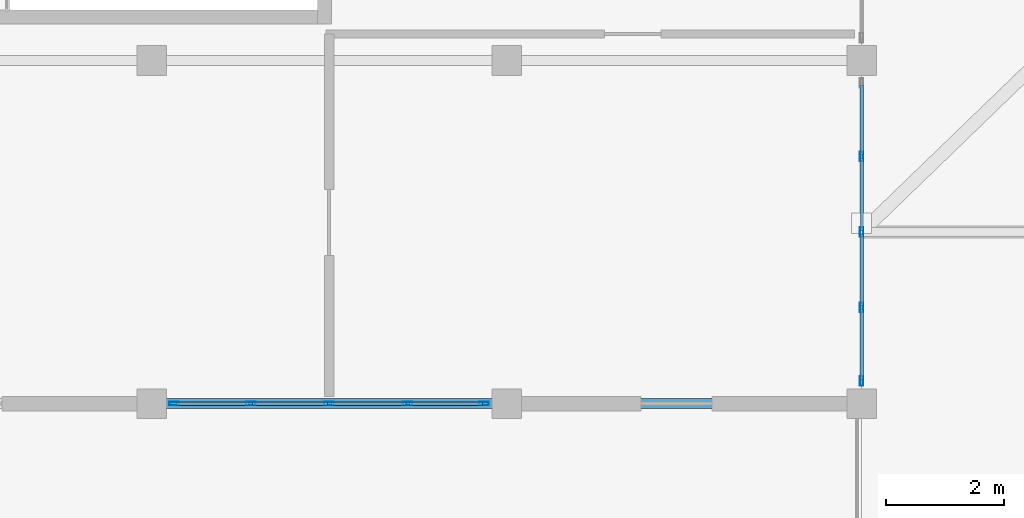
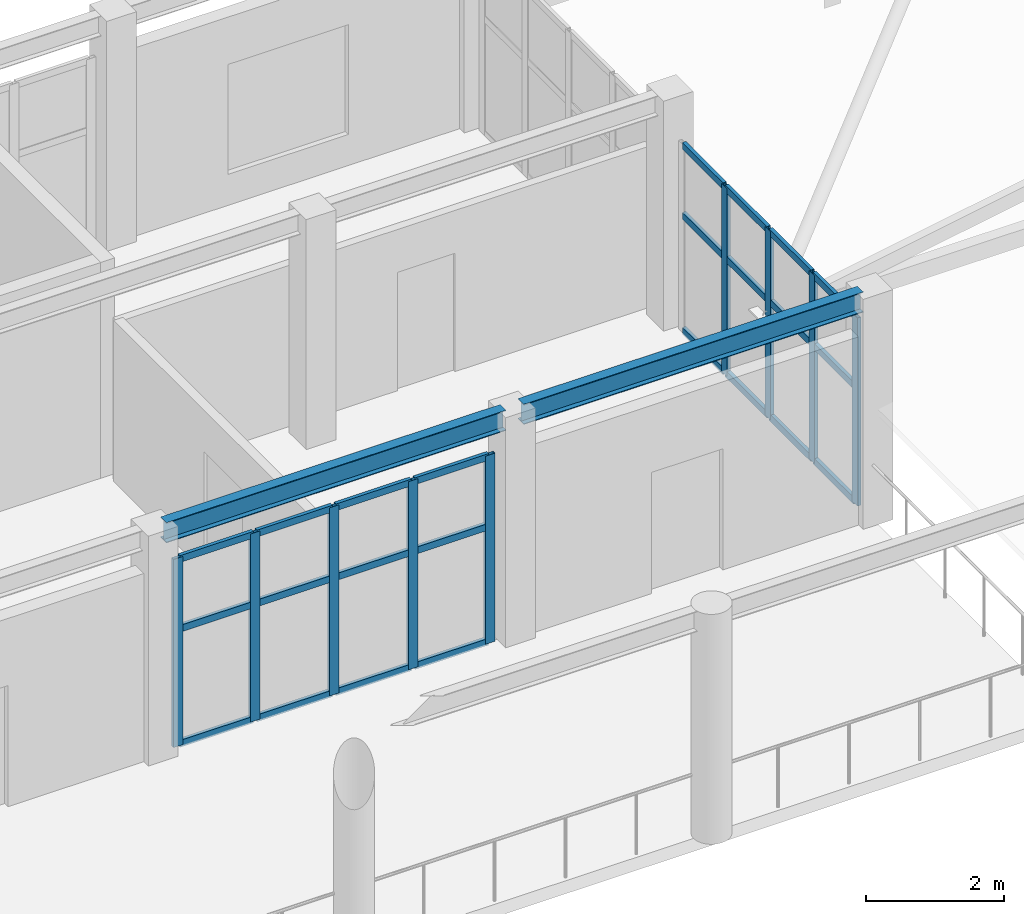
# One storey, part 15 of 128: 33 members, 2 beams, 2 elements without a shape of their own.
"""IFC4 building model written with IfcOpenShell, lengths in metres."""

from ifc_helpers import new_model, si_unit, direction, frame, origin, origin_2d, place, context, subcontext, project, spatial, hollow_rectangle, i_section, extrude, material, material_profile, profile_set, type_object, element, aggregate, save


model = new_model("IFC4")

# Units and contexts
model_context = context("Model", 3, precision=1e-05, world=origin(), true_north=direction((0.0, 1.0)))
body_context = subcontext(model_context, "Body", "Model", "MODEL_VIEW")
ifc_project = project(units=[si_unit("LENGTHUNIT", "METRE"), si_unit("AREAUNIT", "SQUARE_METRE"), si_unit("VOLUMEUNIT", "CUBIC_METRE"), si_unit("PLANEANGLEUNIT", "RADIAN"), si_unit("MASSUNIT", "GRAM", prefix="KILO")], contexts=[model_context])

# Site, building, storey
site_placement = place(None, origin())
site = spatial("IfcSite", under=ifc_project, at=site_placement, CompositionType="ELEMENT")
building_placement = place(site_placement, origin())
building = spatial("IfcBuilding", under=site, at=building_placement, Name="Tanwirah Colonnade Gardens", CompositionType="ELEMENT")
storey_placement = place(building_placement, frame((0.0, 0.0, 4.760009765625)))
storey = spatial("IfcBuildingStorey", under=building, at=storey_placement, Name="L01", CompositionType="ELEMENT", Elevation=4.760009765625)

# Curtain wall, members
ifc_material_1 = material(Name="Bronze-anodised aluminium and solar-control low-E glass", Category="aluminium")
curtain_wall_type = type_object("IfcCurtainWallType", Name="CW-SHP", PredefinedType="NOTDEFINED", material=ifc_material_1)
curtain_wall_1_placement = place(storey_placement, origin())
curtain_wall_1 = element("IfcCurtainWall", 1, at=curtain_wall_1_placement, inside=storey, type_object=curtain_wall_type, Name="Curtain Wall CW-SHP-W-L01-S-1", PredefinedType="NOTDEFINED")
ifc_material_2 = material(Name="Bronze-anodised aluminium", Category="aluminium")
ifc_material_profile_1 = material_profile(ifc_material_2, hollow_rectangle(XDim=0.06005859375, YDim=0.159912109375, WallThickness=0.00390625, at=origin_2d()), Name="CW-MUL 60x160x4")
ifc_profile_set_1 = profile_set([ifc_material_profile_1], Name="Bronze-anodised aluminium")
member_type_1 = type_object("IfcMemberType", Name="CWM-60x160", PredefinedType="MULLION", material=ifc_profile_set_1)
member_1_placement = place(storey_placement, frame((72.3798828125, 16.60009765625, 0.0), z_axis=(0.0, 0.0, 1.0), x_axis=(0.0, 1.0, 0.0)))
member_1 = element("IfcMember", 2, at=member_1_placement, type_object=member_type_1, Name="CW-SHP mullion 1", PredefinedType="MULLION", context=body_context, shape_type="SweptSolid", body=[
    extrude(hollow_rectangle(XDim=0.06005859375, YDim=0.159912109375, WallThickness=0.00390625, at=origin_2d()), origin(), (0.0, 0.0, 1.0), 3.340087890625),
])
member_2_placement = place(storey_placement, frame((73.675048828125, 16.60009765625, 0.0), z_axis=(0.0, 0.0, 1.0), x_axis=(0.0, 1.0, 0.0)))
member_2 = element("IfcMember", 3, at=member_2_placement, type_object=member_type_1, Name="CW-SHP mullion 2", PredefinedType="MULLION", context=body_context, shape_type="SweptSolid", body=[
    extrude(hollow_rectangle(XDim=0.06005859375, YDim=0.159912109375, WallThickness=0.00390625, at=origin_2d()), origin(), (0.0, 0.0, 1.0), 3.340087890625),
])
member_3_placement = place(storey_placement, frame((75.0, 16.60009765625, 0.0), z_axis=(0.0, 0.0, 1.0), x_axis=(0.0, 1.0, 0.0)))
member_3 = element("IfcMember", 4, at=member_3_placement, type_object=member_type_1, Name="CW-SHP mullion 3", PredefinedType="MULLION", context=body_context, shape_type="SweptSolid", body=[
    extrude(hollow_rectangle(XDim=0.06005859375, YDim=0.159912109375, WallThickness=0.00390625, at=origin_2d()), origin(), (0.0, 0.0, 1.0), 3.340087890625),
])
member_4_placement = place(storey_placement, frame((76.324951171875, 16.60009765625, 0.0), z_axis=(0.0, 0.0, 1.0), x_axis=(0.0, 1.0, 0.0)))
member_4 = element("IfcMember", 5, at=member_4_placement, type_object=member_type_1, Name="CW-SHP mullion 4", PredefinedType="MULLION", context=body_context, shape_type="SweptSolid", body=[
    extrude(hollow_rectangle(XDim=0.06005859375, YDim=0.159912109375, WallThickness=0.00390625, at=origin_2d()), origin(), (0.0, 0.0, 1.0), 3.340087890625),
])
member_5_placement = place(storey_placement, frame((77.6201171875, 16.60009765625, 0.0), z_axis=(0.0, 0.0, 1.0), x_axis=(0.0, 1.0, 0.0)))
member_5 = element("IfcMember", 6, at=member_5_placement, type_object=member_type_1, Name="CW-SHP mullion 5", PredefinedType="MULLION", context=body_context, shape_type="SweptSolid", body=[
    extrude(hollow_rectangle(XDim=0.06005859375, YDim=0.159912109375, WallThickness=0.00390625, at=origin_2d()), origin(), (0.0, 0.0, 1.0), 3.340087890625),
])

curtain_wall_2_placement = place(storey_placement, origin())
curtain_wall_2 = element("IfcCurtainWall", 7, at=curtain_wall_2_placement, inside=storey, type_object=curtain_wall_type, Name="Curtain Wall CW-SHP-W-L01-E-1", PredefinedType="NOTDEFINED")
member_6_placement = place(storey_placement, frame((84.0, 16.97998046875, 0.0), z_axis=(0.0, 0.0, 1.0), x_axis=(-1.0, 0.0, 0.0)))
member_6 = element("IfcMember", 8, at=member_6_placement, type_object=member_type_1, Name="CW-SHP mullion 1", PredefinedType="MULLION", context=body_context, shape_type="SweptSolid", body=[
    extrude(hollow_rectangle(XDim=0.06005859375, YDim=0.159912109375, WallThickness=0.00390625, at=origin_2d()), origin(), (0.0, 0.0, 1.0), 3.340087890625),
])
member_7_placement = place(storey_placement, frame((84.0, 18.22509765625, 0.0), z_axis=(0.0, 0.0, 1.0), x_axis=(-1.0, 0.0, 0.0)))
member_7 = element("IfcMember", 9, at=member_7_placement, type_object=member_type_1, Name="CW-SHP mullion 2", PredefinedType="MULLION", context=body_context, shape_type="SweptSolid", body=[
    extrude(hollow_rectangle(XDim=0.06005859375, YDim=0.159912109375, WallThickness=0.00390625, at=origin_2d()), origin(), (0.0, 0.0, 1.0), 3.340087890625),
])
member_8_placement = place(storey_placement, frame((84.0, 19.5, 0.0), z_axis=(0.0, 0.0, 1.0), x_axis=(-1.0, 0.0, 0.0)))
member_8 = element("IfcMember", 10, at=member_8_placement, type_object=member_type_1, Name="CW-SHP mullion 3", PredefinedType="MULLION", context=body_context, shape_type="SweptSolid", body=[
    extrude(hollow_rectangle(XDim=0.06005859375, YDim=0.159912109375, WallThickness=0.00390625, at=origin_2d()), origin(), (0.0, 0.0, 1.0), 3.340087890625),
])
member_9_placement = place(storey_placement, frame((84.0, 20.77490234375, 0.0), z_axis=(0.0, 0.0, 1.0), x_axis=(-1.0, 0.0, 0.0)))
member_9 = element("IfcMember", 11, at=member_9_placement, type_object=member_type_1, Name="CW-SHP mullion 4", PredefinedType="MULLION", context=body_context, shape_type="SweptSolid", body=[
    extrude(hollow_rectangle(XDim=0.06005859375, YDim=0.159912109375, WallThickness=0.00390625, at=origin_2d()), origin(), (0.0, 0.0, 1.0), 3.340087890625),
])

# Member
ifc_material_profile_2 = material_profile(ifc_material_2, hollow_rectangle(XDim=0.06005859375, YDim=0.1201171875, WallThickness=0.00390625, at=origin_2d()), Name="CW-TRN 60x120x4")
ifc_profile_set_2 = profile_set([ifc_material_profile_2], Name="Bronze-anodised aluminium")
member_type_2 = type_object("IfcMemberType", Name="CWT-60x120", PredefinedType="USERDEFINED", material=ifc_profile_set_2)
member_10_placement = place(storey_placement, frame((72.409912109375, 16.60009765625, 0.030029296875), z_axis=(1.0, 0.0, 0.0), x_axis=(0.0, 1.0, 0.0)))
member_10 = element("IfcMember", 12, at=member_10_placement, type_object=member_type_2, Name="CW-SHP transom 1.1", ObjectType="TRANSOM", PredefinedType="USERDEFINED", context=body_context, shape_type="SweptSolid", body=[
    extrude(hollow_rectangle(XDim=0.06005859375, YDim=0.1201171875, WallThickness=0.00390625, at=origin_2d()), origin(), (0.0, 0.0, 1.0), 1.235107421875),
])

member_11_placement = place(storey_placement, frame((72.409912109375, 16.60009765625, 2.07080078125), z_axis=(1.0, 0.0, 0.0), x_axis=(0.0, 1.0, 0.0)))
member_11 = element("IfcMember", 13, at=member_11_placement, type_object=member_type_2, Name="CW-SHP transom 1.2", ObjectType="TRANSOM", PredefinedType="USERDEFINED", context=body_context, shape_type="SweptSolid", body=[
    extrude(hollow_rectangle(XDim=0.06005859375, YDim=0.1201171875, WallThickness=0.00390625, at=origin_2d()), origin(), (0.0, 0.0, 1.0), 1.235107421875),
])

member_12_placement = place(storey_placement, frame((72.409912109375, 16.60009765625, 3.31005859375), z_axis=(1.0, 0.0, 0.0), x_axis=(0.0, 1.0, 0.0)))
member_12 = element("IfcMember", 14, at=member_12_placement, type_object=member_type_2, Name="CW-SHP transom 1.3", ObjectType="TRANSOM", PredefinedType="USERDEFINED", context=body_context, shape_type="SweptSolid", body=[
    extrude(hollow_rectangle(XDim=0.06005859375, YDim=0.1201171875, WallThickness=0.00390625, at=origin_2d()), origin(), (0.0, 0.0, 1.0), 1.235107421875),
])

member_13_placement = place(storey_placement, frame((73.705078125, 16.60009765625, 0.030029296875), z_axis=(1.0, 0.0, 0.0), x_axis=(0.0, 1.0, 0.0)))
member_13 = element("IfcMember", 15, at=member_13_placement, type_object=member_type_2, Name="CW-SHP transom 2.1", ObjectType="TRANSOM", PredefinedType="USERDEFINED", context=body_context, shape_type="SweptSolid", body=[
    extrude(hollow_rectangle(XDim=0.06005859375, YDim=0.1201171875, WallThickness=0.00390625, at=origin_2d()), origin(), (0.0, 0.0, 1.0), 1.264892578125),
])

member_14_placement = place(storey_placement, frame((73.705078125, 16.60009765625, 2.07080078125), z_axis=(1.0, 0.0, 0.0), x_axis=(0.0, 1.0, 0.0)))
member_14 = element("IfcMember", 16, at=member_14_placement, type_object=member_type_2, Name="CW-SHP transom 2.2", ObjectType="TRANSOM", PredefinedType="USERDEFINED", context=body_context, shape_type="SweptSolid", body=[
    extrude(hollow_rectangle(XDim=0.06005859375, YDim=0.1201171875, WallThickness=0.00390625, at=origin_2d()), origin(), (0.0, 0.0, 1.0), 1.264892578125),
])

member_15_placement = place(storey_placement, frame((73.705078125, 16.60009765625, 3.31005859375), z_axis=(1.0, 0.0, 0.0), x_axis=(0.0, 1.0, 0.0)))
member_15 = element("IfcMember", 17, at=member_15_placement, type_object=member_type_2, Name="CW-SHP transom 2.3", ObjectType="TRANSOM", PredefinedType="USERDEFINED", context=body_context, shape_type="SweptSolid", body=[
    extrude(hollow_rectangle(XDim=0.06005859375, YDim=0.1201171875, WallThickness=0.00390625, at=origin_2d()), origin(), (0.0, 0.0, 1.0), 1.264892578125),
])

member_16_placement = place(storey_placement, frame((75.030029296875, 16.60009765625, 0.030029296875), z_axis=(1.0, 0.0, 0.0), x_axis=(0.0, 1.0, 0.0)))
member_16 = element("IfcMember", 18, at=member_16_placement, type_object=member_type_2, Name="CW-SHP transom 3.1", ObjectType="TRANSOM", PredefinedType="USERDEFINED", context=body_context, shape_type="SweptSolid", body=[
    extrude(hollow_rectangle(XDim=0.06005859375, YDim=0.1201171875, WallThickness=0.00390625, at=origin_2d()), origin(), (0.0, 0.0, 1.0), 1.264892578125),
])

member_17_placement = place(storey_placement, frame((75.030029296875, 16.60009765625, 2.07080078125), z_axis=(1.0, 0.0, 0.0), x_axis=(0.0, 1.0, 0.0)))
member_17 = element("IfcMember", 19, at=member_17_placement, type_object=member_type_2, Name="CW-SHP transom 3.2", ObjectType="TRANSOM", PredefinedType="USERDEFINED", context=body_context, shape_type="SweptSolid", body=[
    extrude(hollow_rectangle(XDim=0.06005859375, YDim=0.1201171875, WallThickness=0.00390625, at=origin_2d()), origin(), (0.0, 0.0, 1.0), 1.264892578125),
])

member_18_placement = place(storey_placement, frame((75.030029296875, 16.60009765625, 3.31005859375), z_axis=(1.0, 0.0, 0.0), x_axis=(0.0, 1.0, 0.0)))
member_18 = element("IfcMember", 20, at=member_18_placement, type_object=member_type_2, Name="CW-SHP transom 3.3", ObjectType="TRANSOM", PredefinedType="USERDEFINED", context=body_context, shape_type="SweptSolid", body=[
    extrude(hollow_rectangle(XDim=0.06005859375, YDim=0.1201171875, WallThickness=0.00390625, at=origin_2d()), origin(), (0.0, 0.0, 1.0), 1.264892578125),
])

member_19_placement = place(storey_placement, frame((76.35498046875, 16.60009765625, 0.030029296875), z_axis=(1.0, 0.0, 0.0), x_axis=(0.0, 1.0, 0.0)))
member_19 = element("IfcMember", 21, at=member_19_placement, type_object=member_type_2, Name="CW-SHP transom 4.1", ObjectType="TRANSOM", PredefinedType="USERDEFINED", context=body_context, shape_type="SweptSolid", body=[
    extrude(hollow_rectangle(XDim=0.06005859375, YDim=0.1201171875, WallThickness=0.00390625, at=origin_2d()), origin(), (0.0, 0.0, 1.0), 1.235107421875),
])

member_20_placement = place(storey_placement, frame((76.35498046875, 16.60009765625, 2.07080078125), z_axis=(1.0, 0.0, 0.0), x_axis=(0.0, 1.0, 0.0)))
member_20 = element("IfcMember", 22, at=member_20_placement, type_object=member_type_2, Name="CW-SHP transom 4.2", ObjectType="TRANSOM", PredefinedType="USERDEFINED", context=body_context, shape_type="SweptSolid", body=[
    extrude(hollow_rectangle(XDim=0.06005859375, YDim=0.1201171875, WallThickness=0.00390625, at=origin_2d()), origin(), (0.0, 0.0, 1.0), 1.235107421875),
])

member_21_placement = place(storey_placement, frame((76.35498046875, 16.60009765625, 3.31005859375), z_axis=(1.0, 0.0, 0.0), x_axis=(0.0, 1.0, 0.0)))
member_21 = element("IfcMember", 23, at=member_21_placement, type_object=member_type_2, Name="CW-SHP transom 4.3", ObjectType="TRANSOM", PredefinedType="USERDEFINED", context=body_context, shape_type="SweptSolid", body=[
    extrude(hollow_rectangle(XDim=0.06005859375, YDim=0.1201171875, WallThickness=0.00390625, at=origin_2d()), origin(), (0.0, 0.0, 1.0), 1.235107421875),
])

aggregate(curtain_wall_1, [member_1, member_2, member_3, member_4, member_5, member_10, member_11, member_12, member_13, member_14, member_15, member_16, member_17, member_18, member_19, member_20, member_21])

member_22_placement = place(storey_placement, frame((84.0, 17.010009765625, 0.030029296875), z_axis=(0.0, 1.0, 0.0), x_axis=(-1.0, 0.0, 0.0)))
member_22 = element("IfcMember", 24, at=member_22_placement, type_object=member_type_2, Name="CW-SHP transom 1.1", ObjectType="TRANSOM", PredefinedType="USERDEFINED", context=body_context, shape_type="SweptSolid", body=[
    extrude(hollow_rectangle(XDim=0.06005859375, YDim=0.1201171875, WallThickness=0.00390625, at=origin_2d()), origin(), (0.0, 0.0, 1.0), 1.18505859375),
])

member_23_placement = place(storey_placement, frame((84.0, 17.010009765625, 2.07080078125), z_axis=(0.0, 1.0, 0.0), x_axis=(-1.0, 0.0, 0.0)))
member_23 = element("IfcMember", 25, at=member_23_placement, type_object=member_type_2, Name="CW-SHP transom 1.2", ObjectType="TRANSOM", PredefinedType="USERDEFINED", context=body_context, shape_type="SweptSolid", body=[
    extrude(hollow_rectangle(XDim=0.06005859375, YDim=0.1201171875, WallThickness=0.00390625, at=origin_2d()), origin(), (0.0, 0.0, 1.0), 1.18505859375),
])

member_24_placement = place(storey_placement, frame((84.0, 17.010009765625, 3.31005859375), z_axis=(0.0, 1.0, 0.0), x_axis=(-1.0, 0.0, 0.0)))
member_24 = element("IfcMember", 26, at=member_24_placement, type_object=member_type_2, Name="CW-SHP transom 1.3", ObjectType="TRANSOM", PredefinedType="USERDEFINED", context=body_context, shape_type="SweptSolid", body=[
    extrude(hollow_rectangle(XDim=0.06005859375, YDim=0.1201171875, WallThickness=0.00390625, at=origin_2d()), origin(), (0.0, 0.0, 1.0), 1.18505859375),
])

member_25_placement = place(storey_placement, frame((84.0, 18.2548828125, 0.030029296875), z_axis=(0.0, 1.0, 0.0), x_axis=(-1.0, 0.0, 0.0)))
member_25 = element("IfcMember", 27, at=member_25_placement, type_object=member_type_2, Name="CW-SHP transom 2.1", ObjectType="TRANSOM", PredefinedType="USERDEFINED", context=body_context, shape_type="SweptSolid", body=[
    extrude(hollow_rectangle(XDim=0.06005859375, YDim=0.1201171875, WallThickness=0.00390625, at=origin_2d()), origin(), (0.0, 0.0, 1.0), 1.215087890625),
])

member_26_placement = place(storey_placement, frame((84.0, 18.2548828125, 2.07080078125), z_axis=(0.0, 1.0, 0.0), x_axis=(-1.0, 0.0, 0.0)))
member_26 = element("IfcMember", 28, at=member_26_placement, type_object=member_type_2, Name="CW-SHP transom 2.2", ObjectType="TRANSOM", PredefinedType="USERDEFINED", context=body_context, shape_type="SweptSolid", body=[
    extrude(hollow_rectangle(XDim=0.06005859375, YDim=0.1201171875, WallThickness=0.00390625, at=origin_2d()), origin(), (0.0, 0.0, 1.0), 1.215087890625),
])

member_27_placement = place(storey_placement, frame((84.0, 18.2548828125, 3.31005859375), z_axis=(0.0, 1.0, 0.0), x_axis=(-1.0, 0.0, 0.0)))
member_27 = element("IfcMember", 29, at=member_27_placement, type_object=member_type_2, Name="CW-SHP transom 2.3", ObjectType="TRANSOM", PredefinedType="USERDEFINED", context=body_context, shape_type="SweptSolid", body=[
    extrude(hollow_rectangle(XDim=0.06005859375, YDim=0.1201171875, WallThickness=0.00390625, at=origin_2d()), origin(), (0.0, 0.0, 1.0), 1.215087890625),
])

member_28_placement = place(storey_placement, frame((84.0, 19.530029296875, 0.030029296875), z_axis=(0.0, 1.0, 0.0), x_axis=(-1.0, 0.0, 0.0)))
member_28 = element("IfcMember", 30, at=member_28_placement, type_object=member_type_2, Name="CW-SHP transom 3.1", ObjectType="TRANSOM", PredefinedType="USERDEFINED", context=body_context, shape_type="SweptSolid", body=[
    extrude(hollow_rectangle(XDim=0.06005859375, YDim=0.1201171875, WallThickness=0.00390625, at=origin_2d()), origin(), (0.0, 0.0, 1.0), 1.215087890625),
])

member_29_placement = place(storey_placement, frame((84.0, 19.530029296875, 2.07080078125), z_axis=(0.0, 1.0, 0.0), x_axis=(-1.0, 0.0, 0.0)))
member_29 = element("IfcMember", 31, at=member_29_placement, type_object=member_type_2, Name="CW-SHP transom 3.2", ObjectType="TRANSOM", PredefinedType="USERDEFINED", context=body_context, shape_type="SweptSolid", body=[
    extrude(hollow_rectangle(XDim=0.06005859375, YDim=0.1201171875, WallThickness=0.00390625, at=origin_2d()), origin(), (0.0, 0.0, 1.0), 1.215087890625),
])

member_30_placement = place(storey_placement, frame((84.0, 19.530029296875, 3.31005859375), z_axis=(0.0, 1.0, 0.0), x_axis=(-1.0, 0.0, 0.0)))
member_30 = element("IfcMember", 32, at=member_30_placement, type_object=member_type_2, Name="CW-SHP transom 3.3", ObjectType="TRANSOM", PredefinedType="USERDEFINED", context=body_context, shape_type="SweptSolid", body=[
    extrude(hollow_rectangle(XDim=0.06005859375, YDim=0.1201171875, WallThickness=0.00390625, at=origin_2d()), origin(), (0.0, 0.0, 1.0), 1.215087890625),
])

member_31_placement = place(storey_placement, frame((84.0, 20.804931640625, 0.030029296875), z_axis=(0.0, 1.0, 0.0), x_axis=(-1.0, 0.0, 0.0)))
member_31 = element("IfcMember", 33, at=member_31_placement, type_object=member_type_2, Name="CW-SHP transom 4.1", ObjectType="TRANSOM", PredefinedType="USERDEFINED", context=body_context, shape_type="SweptSolid", body=[
    extrude(hollow_rectangle(XDim=0.06005859375, YDim=0.1201171875, WallThickness=0.00390625, at=origin_2d()), origin(), (0.0, 0.0, 1.0), 1.18505859375),
])

member_32_placement = place(storey_placement, frame((84.0, 20.804931640625, 2.07080078125), z_axis=(0.0, 1.0, 0.0), x_axis=(-1.0, 0.0, 0.0)))
member_32 = element("IfcMember", 34, at=member_32_placement, type_object=member_type_2, Name="CW-SHP transom 4.2", ObjectType="TRANSOM", PredefinedType="USERDEFINED", context=body_context, shape_type="SweptSolid", body=[
    extrude(hollow_rectangle(XDim=0.06005859375, YDim=0.1201171875, WallThickness=0.00390625, at=origin_2d()), origin(), (0.0, 0.0, 1.0), 1.18505859375),
])

member_33_placement = place(storey_placement, frame((84.0, 20.804931640625, 3.31005859375), z_axis=(0.0, 1.0, 0.0), x_axis=(-1.0, 0.0, 0.0)))
member_33 = element("IfcMember", 35, at=member_33_placement, type_object=member_type_2, Name="CW-SHP transom 4.3", ObjectType="TRANSOM", PredefinedType="USERDEFINED", context=body_context, shape_type="SweptSolid", body=[
    extrude(hollow_rectangle(XDim=0.06005859375, YDim=0.1201171875, WallThickness=0.00390625, at=origin_2d()), origin(), (0.0, 0.0, 1.0), 1.18505859375),
])

aggregate(curtain_wall_2, [member_6, member_7, member_8, member_9, member_22, member_23, member_24, member_25, member_26, member_27, member_28, member_29, member_30, member_31, member_32, member_33])

# Beams
ifc_material_3 = material(Name="Steel S355", Category="steel")
ifc_material_profile_3 = material_profile(ifc_material_3, i_section(OverallWidth=0.169921875, OverallDepth=0.360107421875, WebThickness=0.008056640625, FlangeThickness=0.0126953125, at=origin_2d()), Name="IPE 360")
ifc_profile_set_3 = profile_set([ifc_material_profile_3], Name="Steel S355")
beam_type = type_object("IfcBeamType", Name="SBM-IPE360", PredefinedType="BEAM", material=ifc_profile_set_3)
for number, where, z_axis, x_axis, name in (
    (36, (72.14990234375, 16.60009765625, 3.89990234375), (1.0, 0.0, 0.0), (0.0, 1.0, 0.0), "Boulevard Shops W L01 Beam 1.1"),
    (37, (78.14990234375, 16.60009765625, 3.89990234375), (1.0, 0.0, 0.0), (0.0, 1.0, 0.0), "Boulevard Shops W L01 Beam 2.1"),
):
    element("IfcBeam", number, at=place(storey_placement, frame(where, z_axis=z_axis, x_axis=x_axis)), inside=storey, type_object=beam_type, Name=name, PredefinedType="BEAM", context=body_context, shape_type="SweptSolid", body=[
        extrude(i_section(OverallWidth=0.169921875, OverallDepth=0.360107421875, WebThickness=0.008056640625, FlangeThickness=0.0126953125, at=origin_2d()), origin(), (0.0, 0.0, 1.0), 5.7001953125),
    ])

save(model, "model.ifc")
